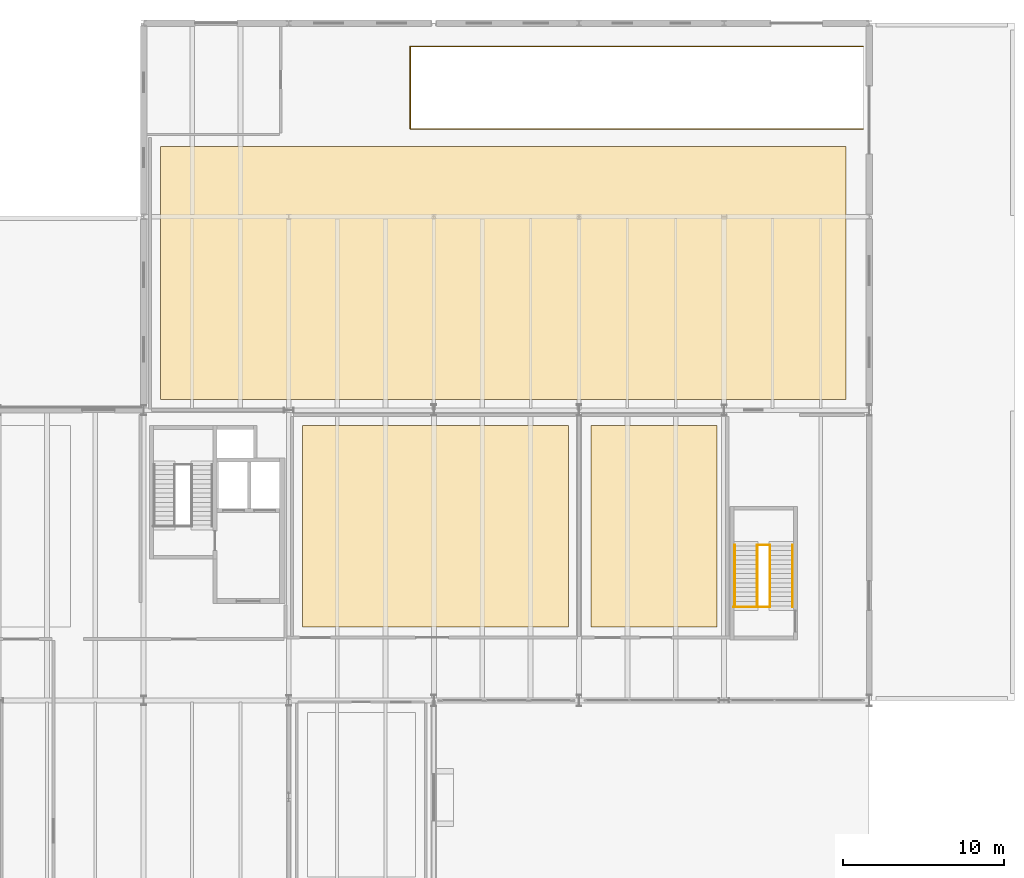
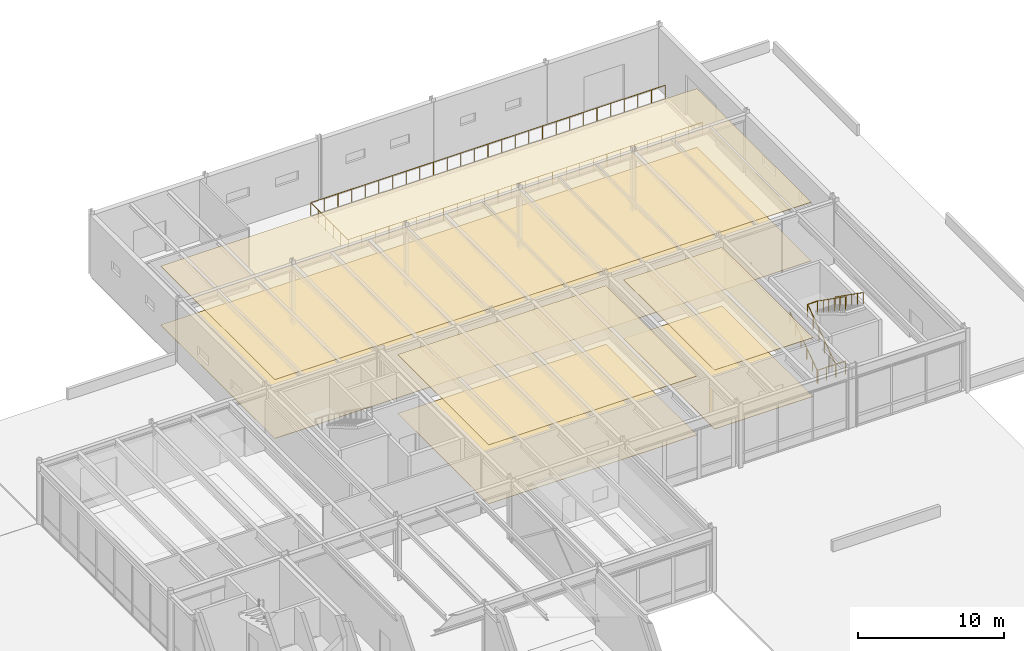
# One storey, part 142 of 143: 7 railings, 6 coverings.
"""IFC4 building model written with IfcOpenShell, lengths in metres."""

import ifcopenshell
import ifcopenshell.guid

model = None  # the IFC model being written
_history = None  # IfcOwnerHistory: only IFC2X3 demands one
_inside = {}  # id of a spatial element -> (the spatial element, [elements in it])
_under = {}  # id of a project, library or spatial element -> (it, [spatial elements below it])
_declared = {}  # id of a project -> (the project, [libraries it declares])
_typed = {}  # id of a type object -> (the type object, [elements of that type])
_made_of = {}  # id of a material, layer set ... -> (it, [elements and type objects made of it])


def new_model(schema):
    """Start an empty IFC model of exactly this schema.

    Asked for "IFC4X3", IfcOpenShell would pick the latest addendum, in which some entities
    have other attributes; the version numbers below select the first issue.
    IFC2X3 requires an IfcOwnerHistory on every rooted entity: one is made here for all.
    """
    global model, _history
    if schema == "IFC4X3":
        model = ifcopenshell.file(schema_version=(4, 3, 0, 0))
    else:
        model = ifcopenshell.file(schema=schema)
    _inside.clear()
    _under.clear()
    _declared.clear()
    _typed.clear()
    _made_of.clear()
    _history = None
    if model.schema == "IFC2X3":
        org = make("IfcOrganization", Name="unknown")
        user = make(
            "IfcPersonAndOrganization",
            ThePerson=make("IfcPerson", FamilyName="unknown"),
            TheOrganization=org,
        )
        app = make(
            "IfcApplication",
            ApplicationDeveloper=org,
            Version="unknown",
            ApplicationFullName="unknown",
            ApplicationIdentifier="unknown",
        )
        _history = make(
            "IfcOwnerHistory",
            OwningUser=user,
            OwningApplication=app,
            ChangeAction="ADDED",
            CreationDate=0,
        )
    return model


def make(cls, **values):
    """One entity of the class cls with the attributes given. An attribute that is None is left unset."""
    return model.create_entity(
        cls, **{name: value for name, value in values.items() if value is not None}
    )


def rooted(cls, **values):
    """An entity with a GlobalId (a new one), such as an element, a storey or a relation."""
    return make(cls, GlobalId=ifcopenshell.guid.new(), OwnerHistory=_history, **values)


def si_unit(unit_type, name, prefix=None):
    """IfcSIUnit, for example si_unit("LENGTHUNIT", "METRE", prefix="MILLI")."""
    return make("IfcSIUnit", UnitType=unit_type, Prefix=prefix, Name=name)


def assignment(units):
    """IfcUnitAssignment: the units of a project."""
    return None if units is None else make("IfcUnitAssignment", Units=units)


def point(xyz):
    """IfcCartesianPoint."""
    return None if xyz is None else make("IfcCartesianPoint", Coordinates=xyz)


def direction(xyz):
    """IfcDirection."""
    return None if xyz is None else make("IfcDirection", DirectionRatios=xyz)


def frame(location, z_axis=None, x_axis=None):
    """IfcAxis2Placement3D, a coordinate frame: its origin and axes. An axis left out is left unset."""
    return make(
        "IfcAxis2Placement3D",
        Location=point(location),
        Axis=direction(z_axis),
        RefDirection=direction(x_axis),
    )


def frame_2d(location, x_axis=None):
    """IfcAxis2Placement2D, a coordinate frame in the plane: its origin and x axis."""
    return make(
        "IfcAxis2Placement2D", Location=point(location), RefDirection=direction(x_axis)
    )


def origin():
    """The frame at (0, 0, 0) with its axes left unset."""
    return frame((0.0, 0.0, 0.0))


def origin_2d():
    """The frame at (0, 0) in the plane with its x axis left unset."""
    return frame_2d((0.0, 0.0))


def place(relative_to, where):
    """IfcLocalPlacement: puts the frame where relative to a parent placement (None: the world)."""
    return make(
        "IfcLocalPlacement", PlacementRelTo=relative_to, RelativePlacement=where
    )


def context(
    kind, dimensions, precision=None, world=None, true_north=None, identifier=None
):
    """IfcGeometricRepresentationContext, for example the 3D "Model" context."""
    return make(
        "IfcGeometricRepresentationContext",
        ContextIdentifier=identifier,
        ContextType=kind,
        CoordinateSpaceDimension=dimensions,
        Precision=precision,
        WorldCoordinateSystem=world,
        TrueNorth=true_north,
    )


def subcontext(parent, identifier, kind, view, scale=None):
    """IfcGeometricRepresentationSubContext, for example "Body" below "Model"."""
    return make(
        "IfcGeometricRepresentationSubContext",
        ContextIdentifier=identifier,
        ContextType=kind,
        ParentContext=parent,
        TargetScale=scale,
        TargetView=view,
    )


def project(units=None, contexts=None):
    """IfcProject with its units and contexts."""
    return rooted(
        "IfcProject",
        Name="project",
        RepresentationContexts=contexts,
        UnitsInContext=assignment(units),
    )


def spatial(cls, under=None, at=None, **own):
    """A site, building, storey or space (cls), placed at a placement, below another one or the project."""
    s = rooted(cls, ObjectPlacement=at, **own)
    if under is not None:
        _under.setdefault(under.id(), (under, []))[1].append(s)
    return s


def polyline(points):
    """IfcPolyline through the points."""
    return make("IfcPolyline", Points=[point(p) for p in points])


def profile(cls, at=None, kind="AREA", **sizes):
    """A parametric profile (cls). Its sizes go by their IFC names, for example OverallWidth=200.0."""
    return make(cls, ProfileType=kind, Position=at, **sizes)


def circle(**sizes):
    """IfcCircleProfileDef."""
    return profile("IfcCircleProfileDef", **sizes)


def outline(outer, holes=None, kind="AREA"):
    """IfcArbitraryClosedProfileDef: a profile drawn as a closed curve; with holes, ...WithVoids."""
    if holes is None:
        return make("IfcArbitraryClosedProfileDef", ProfileType=kind, OuterCurve=outer)
    return make(
        "IfcArbitraryProfileDefWithVoids",
        ProfileType=kind,
        OuterCurve=outer,
        InnerCurves=holes,
    )


def extrude(swept, where, along, depth):
    """IfcExtrudedAreaSolid: the profile swept, set in the frame where, extruded along a direction by depth."""
    return make(
        "IfcExtrudedAreaSolid",
        SweptArea=swept,
        Position=where,
        ExtrudedDirection=direction(along),
        Depth=depth,
    )


def shape(context_of_items, identifier, shape_type, items):
    """IfcShapeRepresentation: the items that make up one representation, for example the "Body"."""
    return make(
        "IfcShapeRepresentation",
        ContextOfItems=context_of_items,
        RepresentationIdentifier=identifier,
        RepresentationType=shape_type,
        Items=items,
    )


def material(Name=None, Category=None):
    """IfcMaterial."""
    return make("IfcMaterial", Name=Name, Category=Category)


def layer(
    of_material, thickness, ventilated=None, Name=None, Category=None, Priority=None
):
    """IfcMaterialLayer: one layer of a wall or slab, of a material (None: an air gap)."""
    return make(
        "IfcMaterialLayer",
        Material=of_material,
        LayerThickness=thickness,
        IsVentilated=ventilated,
        Name=Name,
        Category=Category,
        Priority=Priority,
    )


def layer_set(layers, Name=None):
    """IfcMaterialLayerSet."""
    return make("IfcMaterialLayerSet", MaterialLayers=layers, LayerSetName=Name)


def made_of(thing, what):
    """Note that an element or type object is made of a material, layer set ...; save() writes the relation."""
    if what is not None:
        _made_of.setdefault(what.id(), (what, []))[1].append(thing)
    return thing


def type_object(cls, material=None, **own):
    """A type object (cls), such as IfcWallType, which elements share."""
    return made_of(rooted(cls, **own), material)


def element(
    cls,
    number,
    at=None,
    inside=None,
    cuts=None,
    type_object=None,
    material=None,
    context=None,
    identifier="Body",
    shape_type=None,
    held_by="IfcProductDefinitionShape",
    body=None,
    shapes=None,
    **own,
):
    """One element of the class cls, such as IfcWall. Its Tag is "e" and its number.

    at: its placement. inside: the storey or other place that contains it. cuts: it is an
    opening in that element (IfcRelVoidsElement). A single representation is given by context,
    identifier, shape_type and body (its items); several are given by shapes. held_by: the class
    of the entity that holds the representations. save() writes the other relations.
    """
    e = rooted(cls, Tag="e%d" % number, ObjectPlacement=at, **own)
    if body is not None:
        shapes = [shape(context, identifier, shape_type, body)]
    if shapes is not None:
        e.Representation = make(held_by, Representations=shapes)
    if inside is not None:
        _inside.setdefault(inside.id(), (inside, []))[1].append(e)
    if cuts is not None:
        rooted(
            "IfcRelVoidsElement", RelatingBuildingElement=cuts, RelatedOpeningElement=e
        )
    if type_object is not None:
        _typed.setdefault(type_object.id(), (type_object, []))[1].append(e)
    return made_of(e, material)


def aggregate(whole, parts):
    """IfcRelAggregates: a whole, such as a stair, and the parts it consists of."""
    return rooted("IfcRelAggregates", RelatingObject=whole, RelatedObjects=parts)


def save(model, path):
    """Write the relations noted so far, then the file.

    IfcRelAggregates (storeys below a building ...), IfcRelContainedInSpatialStructure (elements
    in a storey), IfcRelDefinesByType, IfcRelAssociatesMaterial and IfcRelDeclares: one each for
    every whole, place, type object, material and project.
    """
    for whole, parts in _under.values():
        aggregate(whole, parts)
    for where, things in _inside.values():
        rooted(
            "IfcRelContainedInSpatialStructure",
            RelatedElements=things,
            RelatingStructure=where,
        )
    for kind, things in _typed.values():
        rooted("IfcRelDefinesByType", RelatedObjects=things, RelatingType=kind)
    for what, things in _made_of.values():
        rooted("IfcRelAssociatesMaterial", RelatedObjects=things, RelatingMaterial=what)
    for by, libraries in _declared.values():
        rooted("IfcRelDeclares", RelatingContext=by, RelatedDefinitions=libraries)
    model.write(path)


model = new_model("IFC4")

# Units and contexts
model_context = context("Model", 3, precision=1e-05, world=origin(), true_north=direction((0.0, 1.0)))
body_context = subcontext(model_context, "Body", "Model", "MODEL_VIEW")
ifc_project = project(units=[si_unit("LENGTHUNIT", "METRE"), si_unit("AREAUNIT", "SQUARE_METRE"), si_unit("VOLUMEUNIT", "CUBIC_METRE"), si_unit("PLANEANGLEUNIT", "RADIAN"), si_unit("MASSUNIT", "GRAM", prefix="KILO")], contexts=[model_context])

# Site, building, storey
site_placement = place(None, origin())
site = spatial("IfcSite", under=ifc_project, at=site_placement, CompositionType="ELEMENT")
building_placement = place(site_placement, origin())
building = spatial("IfcBuilding", under=site, at=building_placement, Name="Montelvaro Courts of Justice", CompositionType="ELEMENT")
storey_placement = place(building_placement, origin())
storey = spatial("IfcBuildingStorey", under=building, at=storey_placement, Name="L00", CompositionType="ELEMENT", Elevation=0.0)

# Coverings
ifc_material_1 = material(Name="Perforated acoustic gypsum ceiling")
ifc_layer_1 = layer(ifc_material_1, 0.0400390625)
ifc_layer_set_1 = layer_set([ifc_layer_1], Name="Perforated acoustic gypsum ceiling")
covering_type_1 = type_object("IfcCoveringType", Name="AcousticCeiling_Court", PredefinedType="CEILING", material=ifc_layer_set_1)
covering_1_placement = place(storey_placement, frame((0.0, 0.0, 4.919921875)))
element("IfcCovering", 1, at=covering_1_placement, inside=storey, type_object=covering_type_1, Name="Acoustic Ceiling Panel AC-01 (L00-24)", PredefinedType="CEILING", context=body_context, shape_type="SweptSolid", body=[
    extrude(outline(polyline([(126.85009765625, 95.050048828125), (143.35009765625, 95.050048828125), (143.35009765625, 82.550048828125), (126.85009765625, 82.550048828125), (126.85009765625, 95.050048828125)])), origin(), (0.0, 0.0, 1.0), 0.0400390625),
])
covering_2_placement = place(storey_placement, frame((0.0, 0.0, 4.919921875)))
element("IfcCovering", 2, at=covering_2_placement, inside=storey, type_object=covering_type_1, Name="Acoustic Ceiling Panel AC-01 (L00-25)", PredefinedType="CEILING", context=body_context, shape_type="SweptSolid", body=[
    extrude(outline(polyline([(152.550048828125, 95.050048828125), (152.550048828125, 82.550048828125), (144.75, 82.550048828125), (144.75, 95.050048828125), (152.550048828125, 95.050048828125)])), origin(), (0.0, 0.0, 1.0), 0.0400390625),
])
covering_3_placement = place(storey_placement, frame((0.0, 0.0, 4.919921875)))
element("IfcCovering", 3, at=covering_3_placement, inside=storey, type_object=covering_type_1, Name="Acoustic Ceiling Panel AC-01 (L00-48)", PredefinedType="CEILING", context=body_context, shape_type="SweptSolid", body=[
    extrude(outline(polyline([(118.050048828125, 96.64990234375), (118.050048828125, 112.35009765625), (160.550048828125, 112.35009765625), (160.550048828125, 96.64990234375), (118.050048828125, 96.64990234375)])), origin(), (0.0, 0.0, 1.0), 0.0400390625),
])

# Railings
ifc_material_2 = material(Name="Steel S355", Category="steel")
railing_type_1 = type_object("IfcRailingType", Name="InteriorGuard_1100", PredefinedType="BALUSTRADE", material=ifc_material_2)
railing_1_placement = place(storey_placement, frame((153.60009765625, 83.800048828125, 0.0)))
element("IfcRailing", 4, at=railing_1_placement, inside=storey, type_object=railing_type_1, Name="Stair Well Guard GR-02 ST-V2-B01-TLG", PredefinedType="BALUSTRADE", context=body_context, shape_type="SweptSolid", body=[
    extrude(circle(Radius=0.02392578125, at=origin_2d()), frame((0.0, 0.0, 1.076171875), z_axis=(1.0, 0.0, 0.0), x_axis=(0.0, 1.0, 0.0)), (0.0, 0.0, 1.0), 2.239990234375),
    extrude(circle(Radius=0.02099609375, at=origin_2d()), origin(), (0.0, 0.0, 1.0), 1.052001953125),
    extrude(circle(Radius=0.02099609375, at=origin_2d()), frame((0.74658203125, 0.0, 0.0)), (0.0, 0.0, 1.0), 1.052001953125),
    extrude(circle(Radius=0.02099609375, at=origin_2d()), frame((1.493408203125, 0.0, 0.0)), (0.0, 0.0, 1.0), 1.052001953125),
    extrude(circle(Radius=0.02099609375, at=origin_2d()), frame((2.239990234375, 0.0, 0.0)), (0.0, 0.0, 1.0), 1.052001953125),
])
railing_2_placement = place(storey_placement, frame((155.06005859375, 83.800048828125, 0.0)))
element("IfcRailing", 5, at=railing_2_placement, inside=storey, type_object=railing_type_1, Name="Stair Well Guard GR-02 ST-V2-L00-F1G", PredefinedType="BALUSTRADE", context=body_context, shape_type="SweptSolid", body=[
    extrude(circle(Radius=0.02392578125, at=origin_2d()), frame((0.0, 0.0, 1.076171875), z_axis=(0.0, 0.81767845864, 0.575675202069), x_axis=(-1.0, 0.0, 0.0)), (0.0, 0.0, 1.0), 4.68994140625),
    extrude(circle(Radius=0.02099609375, at=origin_2d()), origin(), (0.0, 0.0, 1.0), 1.052001953125),
    extrude(circle(Radius=0.02099609375, at=origin_2d()), frame((0.0, 0.76708984375, 0.5400390625)), (0.0, 0.0, 1.0), 1.052001953125),
    extrude(circle(Radius=0.02099609375, at=origin_2d()), frame((0.0, 1.533935546875, 1.080078125)), (0.0, 0.0, 1.0), 1.052001953125),
    extrude(circle(Radius=0.02099609375, at=origin_2d()), frame((0.0, 2.301025390625, 1.619873046875)), (0.0, 0.0, 1.0), 1.052001953125),
    extrude(circle(Radius=0.02099609375, at=origin_2d()), frame((0.0, 3.06787109375, 2.159912109375)), (0.0, 0.0, 1.0), 1.052001953125),
    extrude(circle(Radius=0.02099609375, at=origin_2d()), frame((0.0, 3.8349609375, 2.699951171875)), (0.0, 0.0, 1.0), 1.052001953125),
])
railing_3_placement = place(storey_placement, frame((155.840087890625, 87.635009765625, 2.699951171875)))
element("IfcRailing", 6, at=railing_3_placement, inside=storey, type_object=railing_type_1, Name="Stair Well Guard GR-02 ST-V2-L00-F2G", PredefinedType="BALUSTRADE", context=body_context, shape_type="SweptSolid", body=[
    extrude(circle(Radius=0.02392578125, at=origin_2d()), frame((0.0, 0.0, 1.076171875), z_axis=(0.0, -0.81767845864, 0.575675202069), x_axis=(1.0, 0.0, 0.0)), (0.0, 0.0, 1.0), 4.68994140625),
    extrude(circle(Radius=0.02099609375, at=origin_2d()), origin(), (0.0, 0.0, 1.0), 1.052001953125),
    extrude(circle(Radius=0.02099609375, at=origin_2d()), frame((0.0, -0.76708984375, 0.5400390625)), (0.0, 0.0, 1.0), 1.052001953125),
    extrude(circle(Radius=0.02099609375, at=origin_2d()), frame((0.0, -1.533935546875, 1.080078125)), (0.0, 0.0, 1.0), 1.052001953125),
    extrude(circle(Radius=0.02099609375, at=origin_2d()), frame((0.0, -2.301025390625, 1.619873046875)), (0.0, 0.0, 1.0), 1.052001953125),
    extrude(circle(Radius=0.02099609375, at=origin_2d()), frame((0.0, -3.06787109375, 2.159912109375)), (0.0, 0.0, 1.0), 1.052001953125),
    extrude(circle(Radius=0.02099609375, at=origin_2d()), frame((0.0, -3.8349609375, 2.699951171875)), (0.0, 0.0, 1.0), 1.052001953125),
])
railing_4_placement = place(storey_placement, frame((155.06005859375, 87.635009765625, 2.699951171875)))
element("IfcRailing", 7, at=railing_4_placement, inside=storey, type_object=railing_type_1, Name="Stair Well Guard GR-02 ST-V2-L00-MLG", PredefinedType="BALUSTRADE", context=body_context, shape_type="SweptSolid", body=[
    extrude(circle(Radius=0.02392578125, at=origin_2d()), frame((0.0, 0.0, 1.076171875), z_axis=(1.0, 0.0, 0.0), x_axis=(0.0, 1.0, 0.0)), (0.0, 0.0, 1.0), 0.780029296875),
    extrude(circle(Radius=0.02099609375, at=origin_2d()), origin(), (0.0, 0.0, 1.0), 1.052001953125),
    extrude(circle(Radius=0.02099609375, at=origin_2d()), frame((0.780029296875, 0.0, 0.0)), (0.0, 0.0, 1.0), 1.052001953125),
])
railing_5_placement = place(storey_placement, frame((161.6201171875, 113.43994140625, 0.0)))
element("IfcRailing", 8, at=railing_5_placement, inside=storey, type_object=railing_type_1, Name="Sallyport Ramp Well Balustrade GR-02 (L00)", PredefinedType="BALUSTRADE", context=body_context, shape_type="SweptSolid", body=[
    extrude(circle(Radius=0.02392578125, at=origin_2d()), frame((0.0, 0.0, 1.076171875), z_axis=(-1.0, 0.0, 0.0), x_axis=(0.0, -1.0, 0.0)), (0.0, 0.0, 1.0), 28.080078125),
    extrude(circle(Radius=0.02392578125, at=origin_2d()), frame((-28.080078125, 0.0, 1.076171875), z_axis=(0.0, 1.0, 0.0), x_axis=(-1.0, 0.0, 0.0)), (0.0, 0.0, 1.0), 5.1201171875),
    extrude(circle(Radius=0.02392578125, at=origin_2d()), frame((-28.080078125, 5.1201171875, 1.076171875), z_axis=(1.0, 0.0, 0.0), x_axis=(0.0, 1.0, 0.0)), (0.0, 0.0, 1.0), 28.080078125),
    extrude(circle(Radius=0.02099609375, at=origin_2d()), origin(), (0.0, 0.0, 1.0), 1.052001953125),
    extrude(circle(Radius=0.02099609375, at=origin_2d()), frame((-1.080078125, 0.0, 0.0)), (0.0, 0.0, 1.0), 1.052001953125),
    extrude(circle(Radius=0.02099609375, at=origin_2d()), frame((-2.159912109375, 0.0, 0.0)), (0.0, 0.0, 1.0), 1.052001953125),
    extrude(circle(Radius=0.02099609375, at=origin_2d()), frame((-3.239990234375, 0.0, 0.0)), (0.0, 0.0, 1.0), 1.052001953125),
    extrude(circle(Radius=0.02099609375, at=origin_2d()), frame((-4.320068359375, 0.0, 0.0)), (0.0, 0.0, 1.0), 1.052001953125),
    extrude(circle(Radius=0.02099609375, at=origin_2d()), frame((-5.39990234375, 0.0, 0.0)), (0.0, 0.0, 1.0), 1.052001953125),
    extrude(circle(Radius=0.02099609375, at=origin_2d()), frame((-6.47998046875, 0.0, 0.0)), (0.0, 0.0, 1.0), 1.052001953125),
    extrude(circle(Radius=0.02099609375, at=origin_2d()), frame((-7.56005859375, 0.0, 0.0)), (0.0, 0.0, 1.0), 1.052001953125),
    extrude(circle(Radius=0.02099609375, at=origin_2d()), frame((-8.64013671875, 0.0, 0.0)), (0.0, 0.0, 1.0), 1.052001953125),
    extrude(circle(Radius=0.02099609375, at=origin_2d()), frame((-9.719970703125, 0.0, 0.0)), (0.0, 0.0, 1.0), 1.052001953125),
    extrude(circle(Radius=0.02099609375, at=origin_2d()), frame((-10.800048828125, 0.0, 0.0)), (0.0, 0.0, 1.0), 1.052001953125),
    extrude(circle(Radius=0.02099609375, at=origin_2d()), frame((-11.880126953125, 0.0, 0.0)), (0.0, 0.0, 1.0), 1.052001953125),
    extrude(circle(Radius=0.02099609375, at=origin_2d()), frame((-12.9599609375, 0.0, 0.0)), (0.0, 0.0, 1.0), 1.052001953125),
    extrude(circle(Radius=0.02099609375, at=origin_2d()), frame((-14.0400390625, 0.0, 0.0)), (0.0, 0.0, 1.0), 1.052001953125),
    extrude(circle(Radius=0.02099609375, at=origin_2d()), frame((-15.1201171875, 0.0, 0.0)), (0.0, 0.0, 1.0), 1.052001953125),
    extrude(circle(Radius=0.02099609375, at=origin_2d()), frame((-16.199951171875, 0.0, 0.0)), (0.0, 0.0, 1.0), 1.052001953125),
    extrude(circle(Radius=0.02099609375, at=origin_2d()), frame((-17.280029296875, 0.0, 0.0)), (0.0, 0.0, 1.0), 1.052001953125),
    extrude(circle(Radius=0.02099609375, at=origin_2d()), frame((-18.360107421875, 0.0, 0.0)), (0.0, 0.0, 1.0), 1.052001953125),
    extrude(circle(Radius=0.02099609375, at=origin_2d()), frame((-19.43994140625, 0.0, 0.0)), (0.0, 0.0, 1.0), 1.052001953125),
    extrude(circle(Radius=0.02099609375, at=origin_2d()), frame((-20.52001953125, 0.0, 0.0)), (0.0, 0.0, 1.0), 1.052001953125),
    extrude(circle(Radius=0.02099609375, at=origin_2d()), frame((-21.60009765625, 0.0, 0.0)), (0.0, 0.0, 1.0), 1.052001953125),
    extrude(circle(Radius=0.02099609375, at=origin_2d()), frame((-22.68017578125, 0.0, 0.0)), (0.0, 0.0, 1.0), 1.052001953125),
    extrude(circle(Radius=0.02099609375, at=origin_2d()), frame((-23.760009765625, 0.0, 0.0)), (0.0, 0.0, 1.0), 1.052001953125),
    extrude(circle(Radius=0.02099609375, at=origin_2d()), frame((-24.840087890625, 0.0, 0.0)), (0.0, 0.0, 1.0), 1.052001953125),
    extrude(circle(Radius=0.02099609375, at=origin_2d()), frame((-25.920166015625, 0.0, 0.0)), (0.0, 0.0, 1.0), 1.052001953125),
    extrude(circle(Radius=0.02099609375, at=origin_2d()), frame((-27.0, 0.0, 0.0)), (0.0, 0.0, 1.0), 1.052001953125),
    extrude(circle(Radius=0.02099609375, at=origin_2d()), frame((-28.080078125, 0.0, 0.0)), (0.0, 0.0, 1.0), 1.052001953125),
    extrude(circle(Radius=0.02099609375, at=origin_2d()), frame((-28.080078125, 1.02392578125, 0.0)), (0.0, 0.0, 1.0), 1.052001953125),
    extrude(circle(Radius=0.02099609375, at=origin_2d()), frame((-28.080078125, 2.048095703125, 0.0)), (0.0, 0.0, 1.0), 1.052001953125),
    extrude(circle(Radius=0.02099609375, at=origin_2d()), frame((-28.080078125, 3.072021484375, 0.0)), (0.0, 0.0, 1.0), 1.052001953125),
    extrude(circle(Radius=0.02099609375, at=origin_2d()), frame((-28.080078125, 4.09619140625, 0.0)), (0.0, 0.0, 1.0), 1.052001953125),
    extrude(circle(Radius=0.02099609375, at=origin_2d()), frame((-28.080078125, 5.1201171875, 0.0)), (0.0, 0.0, 1.0), 1.052001953125),
    extrude(circle(Radius=0.02099609375, at=origin_2d()), frame((-27.0, 5.1201171875, 0.0)), (0.0, 0.0, 1.0), 1.052001953125),
    extrude(circle(Radius=0.02099609375, at=origin_2d()), frame((-25.920166015625, 5.1201171875, 0.0)), (0.0, 0.0, 1.0), 1.052001953125),
    extrude(circle(Radius=0.02099609375, at=origin_2d()), frame((-24.840087890625, 5.1201171875, 0.0)), (0.0, 0.0, 1.0), 1.052001953125),
    extrude(circle(Radius=0.02099609375, at=origin_2d()), frame((-23.760009765625, 5.1201171875, 0.0)), (0.0, 0.0, 1.0), 1.052001953125),
    extrude(circle(Radius=0.02099609375, at=origin_2d()), frame((-22.68017578125, 5.1201171875, 0.0)), (0.0, 0.0, 1.0), 1.052001953125),
    extrude(circle(Radius=0.02099609375, at=origin_2d()), frame((-21.60009765625, 5.1201171875, 0.0)), (0.0, 0.0, 1.0), 1.052001953125),
    extrude(circle(Radius=0.02099609375, at=origin_2d()), frame((-20.52001953125, 5.1201171875, 0.0)), (0.0, 0.0, 1.0), 1.052001953125),
    extrude(circle(Radius=0.02099609375, at=origin_2d()), frame((-19.43994140625, 5.1201171875, 0.0)), (0.0, 0.0, 1.0), 1.052001953125),
    extrude(circle(Radius=0.02099609375, at=origin_2d()), frame((-18.360107421875, 5.1201171875, 0.0)), (0.0, 0.0, 1.0), 1.052001953125),
    extrude(circle(Radius=0.02099609375, at=origin_2d()), frame((-17.280029296875, 5.1201171875, 0.0)), (0.0, 0.0, 1.0), 1.052001953125),
    extrude(circle(Radius=0.02099609375, at=origin_2d()), frame((-16.199951171875, 5.1201171875, 0.0)), (0.0, 0.0, 1.0), 1.052001953125),
    extrude(circle(Radius=0.02099609375, at=origin_2d()), frame((-15.1201171875, 5.1201171875, 0.0)), (0.0, 0.0, 1.0), 1.052001953125),
    extrude(circle(Radius=0.02099609375, at=origin_2d()), frame((-14.0400390625, 5.1201171875, 0.0)), (0.0, 0.0, 1.0), 1.052001953125),
    extrude(circle(Radius=0.02099609375, at=origin_2d()), frame((-12.9599609375, 5.1201171875, 0.0)), (0.0, 0.0, 1.0), 1.052001953125),
    extrude(circle(Radius=0.02099609375, at=origin_2d()), frame((-11.880126953125, 5.1201171875, 0.0)), (0.0, 0.0, 1.0), 1.052001953125),
    extrude(circle(Radius=0.02099609375, at=origin_2d()), frame((-10.800048828125, 5.1201171875, 0.0)), (0.0, 0.0, 1.0), 1.052001953125),
    extrude(circle(Radius=0.02099609375, at=origin_2d()), frame((-9.719970703125, 5.1201171875, 0.0)), (0.0, 0.0, 1.0), 1.052001953125),
    extrude(circle(Radius=0.02099609375, at=origin_2d()), frame((-8.64013671875, 5.1201171875, 0.0)), (0.0, 0.0, 1.0), 1.052001953125),
    extrude(circle(Radius=0.02099609375, at=origin_2d()), frame((-7.56005859375, 5.1201171875, 0.0)), (0.0, 0.0, 1.0), 1.052001953125),
    extrude(circle(Radius=0.02099609375, at=origin_2d()), frame((-6.47998046875, 5.1201171875, 0.0)), (0.0, 0.0, 1.0), 1.052001953125),
    extrude(circle(Radius=0.02099609375, at=origin_2d()), frame((-5.39990234375, 5.1201171875, 0.0)), (0.0, 0.0, 1.0), 1.052001953125),
    extrude(circle(Radius=0.02099609375, at=origin_2d()), frame((-4.320068359375, 5.1201171875, 0.0)), (0.0, 0.0, 1.0), 1.052001953125),
    extrude(circle(Radius=0.02099609375, at=origin_2d()), frame((-3.239990234375, 5.1201171875, 0.0)), (0.0, 0.0, 1.0), 1.052001953125),
    extrude(circle(Radius=0.02099609375, at=origin_2d()), frame((-2.159912109375, 5.1201171875, 0.0)), (0.0, 0.0, 1.0), 1.052001953125),
    extrude(circle(Radius=0.02099609375, at=origin_2d()), frame((-1.080078125, 5.1201171875, 0.0)), (0.0, 0.0, 1.0), 1.052001953125),
    extrude(circle(Radius=0.02099609375, at=origin_2d()), frame((0.0, 5.1201171875, 0.0)), (0.0, 0.0, 1.0), 1.052001953125),
])

# Coverings
ifc_material_3 = material(Name="Alicante limestone judicial flooring", Category="masonry")
ifc_layer_2 = layer(ifc_material_3, 0.030029296875)
ifc_layer_set_2 = layer_set([ifc_layer_2], Name="Alicante limestone judicial flooring")
covering_type_2 = type_object("IfcCoveringType", Name="JudicialStoneFlooring", PredefinedType="FLOORING", material=ifc_layer_set_2)
covering_4_placement = place(storey_placement, origin())
element("IfcCovering", 9, at=covering_4_placement, inside=storey, type_object=covering_type_2, Name="Judicial Stone Flooring FLR-01 (L00-24)", PredefinedType="FLOORING", context=body_context, shape_type="SweptSolid", body=[
    extrude(outline(polyline([(126.85009765625, 95.050048828125), (143.35009765625, 95.050048828125), (143.35009765625, 82.550048828125), (126.85009765625, 82.550048828125), (126.85009765625, 95.050048828125)])), origin(), (0.0, 0.0, 1.0), 0.030029296875),
])
covering_5_placement = place(storey_placement, origin())
element("IfcCovering", 10, at=covering_5_placement, inside=storey, type_object=covering_type_2, Name="Judicial Stone Flooring FLR-01 (L00-25)", PredefinedType="FLOORING", context=body_context, shape_type="SweptSolid", body=[
    extrude(outline(polyline([(152.550048828125, 95.050048828125), (152.550048828125, 82.550048828125), (144.75, 82.550048828125), (144.75, 95.050048828125), (152.550048828125, 95.050048828125)])), origin(), (0.0, 0.0, 1.0), 0.030029296875),
])
covering_6_placement = place(storey_placement, origin())
element("IfcCovering", 11, at=covering_6_placement, inside=storey, type_object=covering_type_2, Name="Judicial Stone Flooring FLR-01 (L00-48)", PredefinedType="FLOORING", context=body_context, shape_type="SweptSolid", body=[
    extrude(outline(polyline([(118.050048828125, 96.64990234375), (118.050048828125, 112.35009765625), (160.550048828125, 112.35009765625), (160.550048828125, 96.64990234375), (118.050048828125, 96.64990234375)])), origin(), (0.0, 0.0, 1.0), 0.030029296875),
])

# Railings
ifc_material_4 = material(Name="Austenitic stainless steel EN 1.4401", Category="steel")
railing_type_2 = type_object("IfcRailingType", Name="StairHandrail_950", PredefinedType="HANDRAIL", material=ifc_material_4)
railing_6_placement = place(storey_placement, frame((153.659912109375, 83.800048828125, 0.0)))
element("IfcRailing", 12, at=railing_6_placement, inside=storey, type_object=railing_type_2, Name="Stair Pitch Handrail HR-01 ST-V2-L00-F1H", PredefinedType="HANDRAIL", context=body_context, shape_type="SweptSolid", body=[
    extrude(circle(Radius=0.02392578125, at=origin_2d()), frame((0.0, 0.0, 0.92578125), z_axis=(0.0, 0.81767845864, 0.575675202069), x_axis=(-1.0, 0.0, 0.0)), (0.0, 0.0, 1.0), 4.68994140625),
    extrude(circle(Radius=0.02099609375, at=origin_2d()), origin(), (0.0, 0.0, 1.0), 0.90185546875),
    extrude(circle(Radius=0.02099609375, at=origin_2d()), frame((0.0, 0.76708984375, 0.5400390625)), (0.0, 0.0, 1.0), 0.90185546875),
    extrude(circle(Radius=0.02099609375, at=origin_2d()), frame((0.0, 1.533935546875, 1.080078125)), (0.0, 0.0, 1.0), 0.90185546875),
    extrude(circle(Radius=0.02099609375, at=origin_2d()), frame((0.0, 2.301025390625, 1.619873046875)), (0.0, 0.0, 1.0), 0.90185546875),
    extrude(circle(Radius=0.02099609375, at=origin_2d()), frame((0.0, 3.06787109375, 2.159912109375)), (0.0, 0.0, 1.0), 0.90185546875),
    extrude(circle(Radius=0.02099609375, at=origin_2d()), frame((0.0, 3.8349609375, 2.699951171875)), (0.0, 0.0, 1.0), 0.90185546875),
])
railing_7_placement = place(storey_placement, frame((157.239990234375, 87.635009765625, 2.699951171875)))
element("IfcRailing", 13, at=railing_7_placement, inside=storey, type_object=railing_type_2, Name="Stair Pitch Handrail HR-01 ST-V2-L00-F2H", PredefinedType="HANDRAIL", context=body_context, shape_type="SweptSolid", body=[
    extrude(circle(Radius=0.02392578125, at=origin_2d()), frame((0.0, 0.0, 0.92578125), z_axis=(0.0, -0.81767845864, 0.575675202069), x_axis=(1.0, 0.0, 0.0)), (0.0, 0.0, 1.0), 4.68994140625),
    extrude(circle(Radius=0.02099609375, at=origin_2d()), origin(), (0.0, 0.0, 1.0), 0.90185546875),
    extrude(circle(Radius=0.02099609375, at=origin_2d()), frame((0.0, -0.76708984375, 0.5400390625)), (0.0, 0.0, 1.0), 0.90185546875),
    extrude(circle(Radius=0.02099609375, at=origin_2d()), frame((0.0, -1.533935546875, 1.080078125)), (0.0, 0.0, 1.0), 0.90185546875),
    extrude(circle(Radius=0.02099609375, at=origin_2d()), frame((0.0, -2.301025390625, 1.619873046875)), (0.0, 0.0, 1.0), 0.90185546875),
    extrude(circle(Radius=0.02099609375, at=origin_2d()), frame((0.0, -3.06787109375, 2.159912109375)), (0.0, 0.0, 1.0), 0.90185546875),
    extrude(circle(Radius=0.02099609375, at=origin_2d()), frame((0.0, -3.8349609375, 2.699951171875)), (0.0, 0.0, 1.0), 0.90185546875),
])

save(model, "model.ifc")
